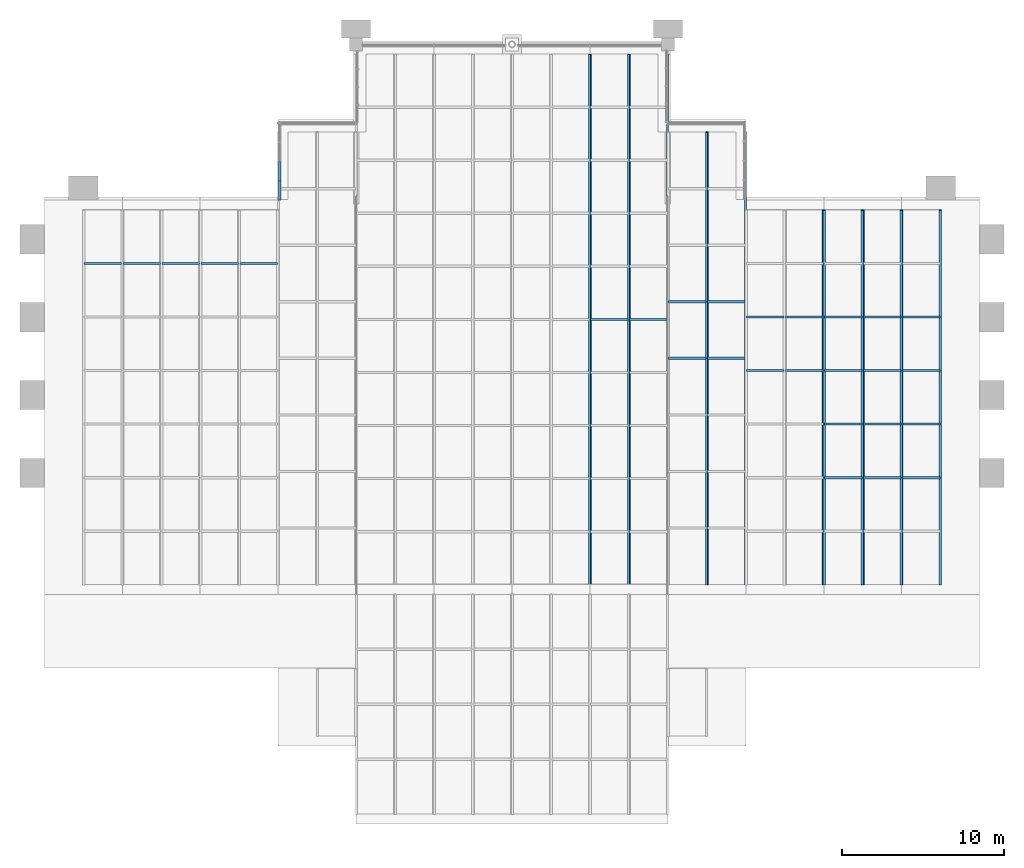
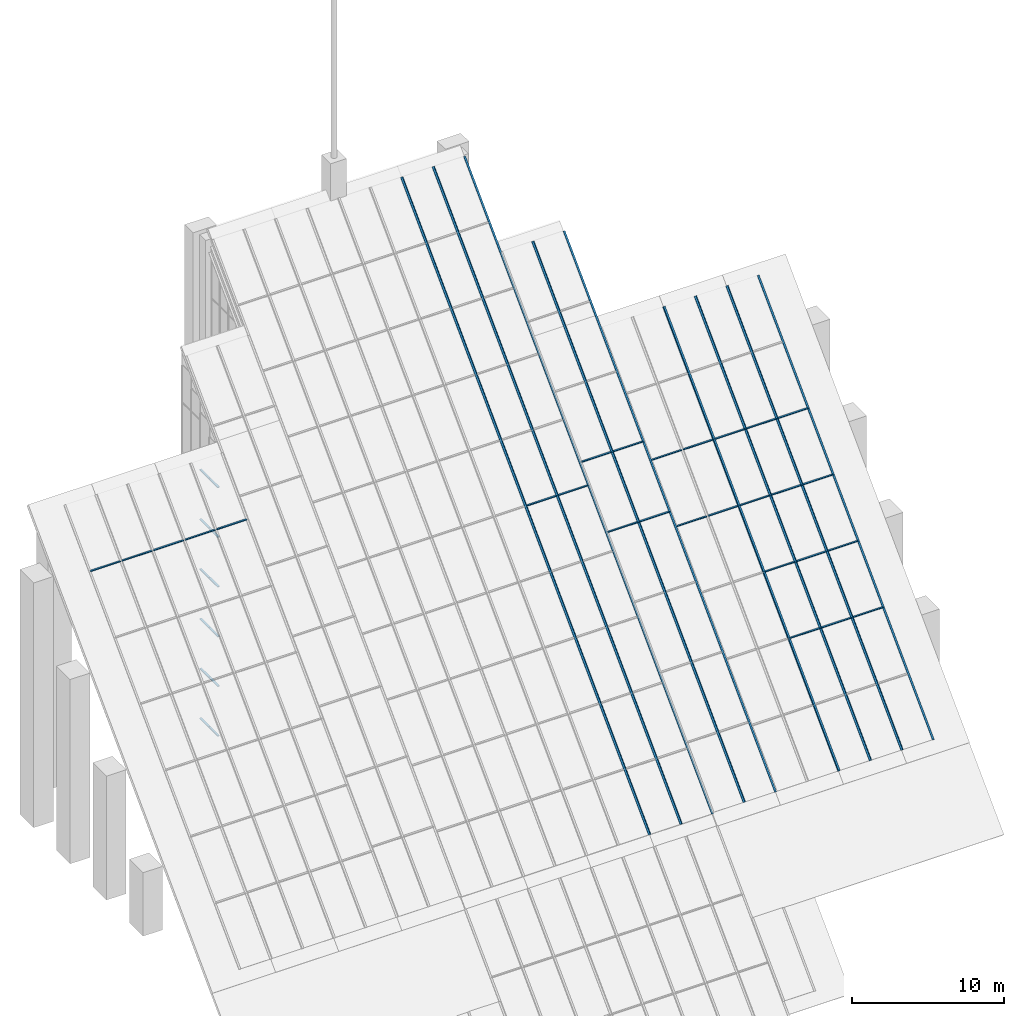
# One storey, part 4 of 25: 54 members, 27 elements without a shape of their own.
"""IFC4 building model written with IfcOpenShell, lengths in metres."""

from ifc_helpers import new_model, si_unit, direction, frame, origin, origin_2d, place, context, subcontext, project, spatial, rectangle, extrude, material, material_profile, profile_set, type_object, element, aggregate, save


model = new_model("IFC4")

# Units and contexts
model_context = context("Model", 3, precision=1e-05, world=origin(), true_north=direction((0.0, 1.0)))
body_context = subcontext(model_context, "Body", "Model", "MODEL_VIEW")
ifc_project = project(units=[si_unit("LENGTHUNIT", "METRE"), si_unit("AREAUNIT", "SQUARE_METRE"), si_unit("VOLUMEUNIT", "CUBIC_METRE"), si_unit("PLANEANGLEUNIT", "RADIAN"), si_unit("MASSUNIT", "GRAM", prefix="KILO")], contexts=[model_context])

# Site, building, storey
site_placement = place(None, origin())
site = spatial("IfcSite", under=ifc_project, at=site_placement, CompositionType="ELEMENT")
building_placement = place(site_placement, origin())
building = spatial("IfcBuilding", under=site, at=building_placement, Name="Baori Bourse Tower", CompositionType="ELEMENT")
storey_placement = place(building_placement, frame((0.0, 0.0, 378.300048828125)))
storey = spatial("IfcBuildingStorey", under=building, at=storey_placement, Name="Roof", CompositionType="ELEMENT", Elevation=378.300048828125)

# Curtain wall, member
ifc_material_1 = material(Name="Pale anodised aluminium", Category="aluminium")
curtain_wall_type_1 = type_object("IfcCurtainWallType", Name="CW3 Curtain wall", PredefinedType="NOTDEFINED", material=ifc_material_1)
curtain_wall_1_placement = place(storey_placement, origin())
curtain_wall_1 = element("IfcCurtainWall", 1, at=curtain_wall_1_placement, inside=storey, type_object=curtain_wall_type_1, Name="Curtain wall CW3 Roof 153", PredefinedType="NOTDEFINED")
ifc_material_2 = material(Name="Pale anodised aluminium", Category="aluminium")
ifc_material_profile_1 = material_profile(ifc_material_2, rectangle(XDim=0.159912109375, YDim=0.06005859375, at=origin_2d()), Name="Transom 60x160")
ifc_profile_set_1 = profile_set([ifc_material_profile_1], Name="Pale anodised aluminium")
member_type_1 = type_object("IfcMemberType", Name="CW3 Curtain wall transom", PredefinedType="USERDEFINED", material=ifc_profile_set_1)
member_1_placement = place(storey_placement, frame((14.47998046875, 40.800048828125, -0.219970703125), z_axis=(0.0, -1.0, 0.0), x_axis=(1.0, 0.0, 0.0)))
member_1 = element("IfcMember", 2, at=member_1_placement, type_object=member_type_1, Name="Curtain wall CW3 sill rail", ObjectType="TRANSOM", PredefinedType="USERDEFINED", context=body_context, shape_type="SweptSolid", body=[
    extrude(rectangle(XDim=0.159912109375, YDim=0.06005859375, at=origin_2d()), origin(), (0.0, 0.0, 1.0), 1.199951171875),
])
aggregate(curtain_wall_1, [member_1])

curtain_wall_2_placement = place(storey_placement, origin())
curtain_wall_2 = element("IfcCurtainWall", 3, at=curtain_wall_2_placement, inside=storey, type_object=curtain_wall_type_1, Name="Curtain wall CW3 Roof 154", PredefinedType="NOTDEFINED")
member_2_placement = place(storey_placement, frame((14.47998046875, 40.800048828125, 3.780029296875), z_axis=(0.0, -1.0, 0.0), x_axis=(1.0, 0.0, 0.0)))
member_2 = element("IfcMember", 4, at=member_2_placement, type_object=member_type_1, Name="Curtain wall CW3 sill rail", ObjectType="TRANSOM", PredefinedType="USERDEFINED", context=body_context, shape_type="SweptSolid", body=[
    extrude(rectangle(XDim=0.159912109375, YDim=0.06005859375, at=origin_2d()), origin(), (0.0, 0.0, 1.0), 1.199951171875),
])
aggregate(curtain_wall_2, [member_2])

curtain_wall_3_placement = place(storey_placement, origin())
curtain_wall_3 = element("IfcCurtainWall", 5, at=curtain_wall_3_placement, inside=storey, type_object=curtain_wall_type_1, Name="Curtain wall CW3 Roof 155", PredefinedType="NOTDEFINED")
member_3_placement = place(storey_placement, frame((14.47998046875, 40.800048828125, 7.780029296875), z_axis=(0.0, -1.0, 0.0), x_axis=(1.0, 0.0, 0.0)))
member_3 = element("IfcMember", 6, at=member_3_placement, type_object=member_type_1, Name="Curtain wall CW3 sill rail", ObjectType="TRANSOM", PredefinedType="USERDEFINED", context=body_context, shape_type="SweptSolid", body=[
    extrude(rectangle(XDim=0.159912109375, YDim=0.06005859375, at=origin_2d()), origin(), (0.0, 0.0, 1.0), 1.199951171875),
])
aggregate(curtain_wall_3, [member_3])

curtain_wall_4_placement = place(storey_placement, origin())
curtain_wall_4 = element("IfcCurtainWall", 7, at=curtain_wall_4_placement, inside=storey, type_object=curtain_wall_type_1, Name="Curtain wall CW3 Roof 156", PredefinedType="NOTDEFINED")
member_4_placement = place(storey_placement, frame((14.47998046875, 40.800048828125, 11.780029296875), z_axis=(0.0, -1.0, 0.0), x_axis=(1.0, 0.0, 0.0)))
member_4 = element("IfcMember", 8, at=member_4_placement, type_object=member_type_1, Name="Curtain wall CW3 sill rail", ObjectType="TRANSOM", PredefinedType="USERDEFINED", context=body_context, shape_type="SweptSolid", body=[
    extrude(rectangle(XDim=0.159912109375, YDim=0.06005859375, at=origin_2d()), origin(), (0.0, 0.0, 1.0), 1.199951171875),
])
aggregate(curtain_wall_4, [member_4])

curtain_wall_5_placement = place(storey_placement, origin())
curtain_wall_5 = element("IfcCurtainWall", 9, at=curtain_wall_5_placement, inside=storey, type_object=curtain_wall_type_1, Name="Curtain wall CW3 Roof 157", PredefinedType="NOTDEFINED")
member_5_placement = place(storey_placement, frame((14.47998046875, 40.800048828125, 15.780029296875), z_axis=(0.0, -1.0, 0.0), x_axis=(1.0, 0.0, 0.0)))
member_5 = element("IfcMember", 10, at=member_5_placement, type_object=member_type_1, Name="Curtain wall CW3 sill rail", ObjectType="TRANSOM", PredefinedType="USERDEFINED", context=body_context, shape_type="SweptSolid", body=[
    extrude(rectangle(XDim=0.159912109375, YDim=0.06005859375, at=origin_2d()), origin(), (0.0, 0.0, 1.0), 1.199951171875),
])
aggregate(curtain_wall_5, [member_5])

curtain_wall_6_placement = place(storey_placement, origin())
curtain_wall_6 = element("IfcCurtainWall", 11, at=curtain_wall_6_placement, inside=storey, type_object=curtain_wall_type_1, Name="Curtain wall CW3 Roof 158", PredefinedType="NOTDEFINED")
member_6_placement = place(storey_placement, frame((14.47998046875, 40.800048828125, 19.780029296875), z_axis=(0.0, -1.0, 0.0), x_axis=(1.0, 0.0, 0.0)))
member_6 = element("IfcMember", 12, at=member_6_placement, type_object=member_type_1, Name="Curtain wall CW3 sill rail", ObjectType="TRANSOM", PredefinedType="USERDEFINED", context=body_context, shape_type="SweptSolid", body=[
    extrude(rectangle(XDim=0.159912109375, YDim=0.06005859375, at=origin_2d()), origin(), (0.0, 0.0, 1.0), 1.199951171875),
])
aggregate(curtain_wall_6, [member_6])

curtain_wall_7_placement = place(storey_placement, origin())
curtain_wall_7 = element("IfcCurtainWall", 13, at=curtain_wall_7_placement, inside=storey, type_object=curtain_wall_type_1, Name="Curtain wall CW3 Roof 159", PredefinedType="NOTDEFINED")
member_7_placement = place(storey_placement, frame((14.47998046875, 39.60009765625, -0.219970703125), z_axis=(0.0, -1.0, 0.0), x_axis=(1.0, 0.0, 0.0)))
member_7 = element("IfcMember", 14, at=member_7_placement, type_object=member_type_1, Name="Curtain wall CW3 sill rail", ObjectType="TRANSOM", PredefinedType="USERDEFINED", context=body_context, shape_type="SweptSolid", body=[
    extrude(rectangle(XDim=0.159912109375, YDim=0.06005859375, at=origin_2d()), origin(), (0.0, 0.0, 1.0), 1.2001953125),
])
aggregate(curtain_wall_7, [member_7])

curtain_wall_8_placement = place(storey_placement, origin())
curtain_wall_8 = element("IfcCurtainWall", 15, at=curtain_wall_8_placement, inside=storey, type_object=curtain_wall_type_1, Name="Curtain wall CW3 Roof 160", PredefinedType="NOTDEFINED")
member_8_placement = place(storey_placement, frame((14.47998046875, 39.60009765625, 3.780029296875), z_axis=(0.0, -1.0, 0.0), x_axis=(1.0, 0.0, 0.0)))
member_8 = element("IfcMember", 16, at=member_8_placement, type_object=member_type_1, Name="Curtain wall CW3 sill rail", ObjectType="TRANSOM", PredefinedType="USERDEFINED", context=body_context, shape_type="SweptSolid", body=[
    extrude(rectangle(XDim=0.159912109375, YDim=0.06005859375, at=origin_2d()), origin(), (0.0, 0.0, 1.0), 1.2001953125),
])
aggregate(curtain_wall_8, [member_8])

curtain_wall_9_placement = place(storey_placement, origin())
curtain_wall_9 = element("IfcCurtainWall", 17, at=curtain_wall_9_placement, inside=storey, type_object=curtain_wall_type_1, Name="Curtain wall CW3 Roof 161", PredefinedType="NOTDEFINED")
member_9_placement = place(storey_placement, frame((14.47998046875, 39.60009765625, 7.780029296875), z_axis=(0.0, -1.0, 0.0), x_axis=(1.0, 0.0, 0.0)))
member_9 = element("IfcMember", 18, at=member_9_placement, type_object=member_type_1, Name="Curtain wall CW3 sill rail", ObjectType="TRANSOM", PredefinedType="USERDEFINED", context=body_context, shape_type="SweptSolid", body=[
    extrude(rectangle(XDim=0.159912109375, YDim=0.06005859375, at=origin_2d()), origin(), (0.0, 0.0, 1.0), 1.2001953125),
])
aggregate(curtain_wall_9, [member_9])

curtain_wall_10_placement = place(storey_placement, origin())
curtain_wall_10 = element("IfcCurtainWall", 19, at=curtain_wall_10_placement, inside=storey, type_object=curtain_wall_type_1, Name="Curtain wall CW3 Roof 162", PredefinedType="NOTDEFINED")
member_10_placement = place(storey_placement, frame((14.47998046875, 39.60009765625, 11.780029296875), z_axis=(0.0, -1.0, 0.0), x_axis=(1.0, 0.0, 0.0)))
member_10 = element("IfcMember", 20, at=member_10_placement, type_object=member_type_1, Name="Curtain wall CW3 sill rail", ObjectType="TRANSOM", PredefinedType="USERDEFINED", context=body_context, shape_type="SweptSolid", body=[
    extrude(rectangle(XDim=0.159912109375, YDim=0.06005859375, at=origin_2d()), origin(), (0.0, 0.0, 1.0), 1.2001953125),
])
aggregate(curtain_wall_10, [member_10])

curtain_wall_11_placement = place(storey_placement, origin())
curtain_wall_11 = element("IfcCurtainWall", 21, at=curtain_wall_11_placement, inside=storey, type_object=curtain_wall_type_1, Name="Curtain wall CW3 Roof 163", PredefinedType="NOTDEFINED")
member_11_placement = place(storey_placement, frame((14.47998046875, 39.60009765625, 15.780029296875), z_axis=(0.0, -1.0, 0.0), x_axis=(1.0, 0.0, 0.0)))
member_11 = element("IfcMember", 22, at=member_11_placement, type_object=member_type_1, Name="Curtain wall CW3 sill rail", ObjectType="TRANSOM", PredefinedType="USERDEFINED", context=body_context, shape_type="SweptSolid", body=[
    extrude(rectangle(XDim=0.159912109375, YDim=0.06005859375, at=origin_2d()), origin(), (0.0, 0.0, 1.0), 1.2001953125),
])
aggregate(curtain_wall_11, [member_11])

curtain_wall_12_placement = place(storey_placement, origin())
curtain_wall_12 = element("IfcCurtainWall", 23, at=curtain_wall_12_placement, inside=storey, type_object=curtain_wall_type_1, Name="Curtain wall CW3 Roof 164", PredefinedType="NOTDEFINED")
member_12_placement = place(storey_placement, frame((14.47998046875, 39.60009765625, 19.780029296875), z_axis=(0.0, -1.0, 0.0), x_axis=(1.0, 0.0, 0.0)))
member_12 = element("IfcMember", 24, at=member_12_placement, type_object=member_type_1, Name="Curtain wall CW3 sill rail", ObjectType="TRANSOM", PredefinedType="USERDEFINED", context=body_context, shape_type="SweptSolid", body=[
    extrude(rectangle(XDim=0.159912109375, YDim=0.06005859375, at=origin_2d()), origin(), (0.0, 0.0, 1.0), 1.2001953125),
])
aggregate(curtain_wall_12, [member_12])

ifc_material_3 = material(Name="Pale anodised aluminium", Category="aluminium")
curtain_wall_type_2 = type_object("IfcCurtainWallType", Name="CW4 Curtain wall", PredefinedType="NOTDEFINED", material=ifc_material_3)
curtain_wall_13_placement = place(storey_placement, origin())
curtain_wall_13 = element("IfcCurtainWall", 25, at=curtain_wall_13_placement, inside=storey, type_object=curtain_wall_type_2, Name="Curtain wall CW4 roof glazing 19", PredefinedType="NOTDEFINED")
ifc_material_4 = material(Name="Pale anodised aluminium", Category="aluminium")
ifc_material_profile_2 = material_profile(ifc_material_4, rectangle(XDim=0.139892578125, YDim=0.050048828125, at=origin_2d()), Name="Mullion 50x140")
ifc_profile_set_2 = profile_set([ifc_material_profile_2], Name="Pale anodised aluminium")
member_type_2 = type_object("IfcMemberType", Name="CW4 Curtain wall mullion", PredefinedType="MULLION", material=ifc_profile_set_2)
member_13_placement = place(storey_placement, frame((33.574951171875, 14.723388671875, -0.492919921875), z_axis=(0.0, 0.702701357495, 0.711484927581), x_axis=(-1.0, 0.0, 0.0)))
member_13 = element("IfcMember", 26, at=member_13_placement, type_object=member_type_2, Name="Curtain wall CW4 rail 19.2", PredefinedType="MULLION", context=body_context, shape_type="SweptSolid", body=[
    extrude(rectangle(XDim=0.139892578125, YDim=0.050048828125, at=origin_2d()), origin(), (0.0, 0.0, 1.0), 46.501220703125),
])
aggregate(curtain_wall_13, [member_13])

# Curtain wall, members
curtain_wall_14_placement = place(storey_placement, origin())
curtain_wall_14 = element("IfcCurtainWall", 27, at=curtain_wall_14_placement, inside=storey, type_object=curtain_wall_type_2, Name="Curtain wall CW4 roof glazing 21", PredefinedType="NOTDEFINED")
member_14_placement = place(storey_placement, frame((33.625, 14.723388671875, -0.492919921875), z_axis=(0.0, 0.702701357495, 0.711484927581), x_axis=(-1.0, 0.0, 0.0)))
member_14 = element("IfcMember", 28, at=member_14_placement, type_object=member_type_2, Name="Curtain wall CW4 rail 21.1", PredefinedType="MULLION", context=body_context, shape_type="SweptSolid", body=[
    extrude(rectangle(XDim=0.139892578125, YDim=0.050048828125, at=origin_2d()), origin(), (0.0, 0.0, 1.0), 46.501220703125),
])
member_15_placement = place(storey_placement, frame((35.97509765625, 14.723388671875, -0.492919921875), z_axis=(0.0, 0.702701357495, 0.711484927581), x_axis=(-1.0, 0.0, 0.0)))
member_15 = element("IfcMember", 29, at=member_15_placement, type_object=member_type_2, Name="Curtain wall CW4 rail 21.2", PredefinedType="MULLION", context=body_context, shape_type="SweptSolid", body=[
    extrude(rectangle(XDim=0.139892578125, YDim=0.050048828125, at=origin_2d()), origin(), (0.0, 0.0, 1.0), 46.501220703125),
])

curtain_wall_15_placement = place(storey_placement, origin())
curtain_wall_15 = element("IfcCurtainWall", 30, at=curtain_wall_15_placement, inside=storey, type_object=curtain_wall_type_2, Name="Curtain wall CW4 roof glazing 23", PredefinedType="NOTDEFINED")
member_16_placement = place(storey_placement, frame((36.02490234375, 14.723388671875, -0.492919921875), z_axis=(0.0, 0.702701357495, 0.711484927581), x_axis=(-1.0, 0.0, 0.0)))
member_16 = element("IfcMember", 31, at=member_16_placement, type_object=member_type_2, Name="Curtain wall CW4 rail 23.1", PredefinedType="MULLION", context=body_context, shape_type="SweptSolid", body=[
    extrude(rectangle(XDim=0.139892578125, YDim=0.050048828125, at=origin_2d()), origin(), (0.0, 0.0, 1.0), 46.501220703125),
])
member_17_placement = place(storey_placement, frame((38.375, 14.723388671875, -0.492919921875), z_axis=(0.0, 0.702701357495, 0.711484927581), x_axis=(-1.0, 0.0, 0.0)))
member_17 = element("IfcMember", 32, at=member_17_placement, type_object=member_type_2, Name="Curtain wall CW4 rail 23.2", PredefinedType="MULLION", context=body_context, shape_type="SweptSolid", body=[
    extrude(rectangle(XDim=0.139892578125, YDim=0.050048828125, at=origin_2d()), origin(), (0.0, 0.0, 1.0), 46.501220703125),
])

# Curtain wall, member
curtain_wall_16_placement = place(storey_placement, origin())
curtain_wall_16 = element("IfcCurtainWall", 33, at=curtain_wall_16_placement, inside=storey, type_object=curtain_wall_type_2, Name="Curtain wall CW4 roof glazing 25", PredefinedType="NOTDEFINED")
member_18_placement = place(storey_placement, frame((40.77490234375, 14.723388671875, -0.407470703125), z_axis=(0.0, 0.702705220512, 0.711481112234), x_axis=(-1.0, 0.0, 0.0)))
member_18 = element("IfcMember", 34, at=member_18_placement, type_object=member_type_2, Name="Curtain wall CW4 rail 25.2", PredefinedType="MULLION", context=body_context, shape_type="SweptSolid", body=[
    extrude(rectangle(XDim=0.139892578125, YDim=0.050048828125, at=origin_2d()), origin(), (0.0, 0.0, 1.0), 39.670654296875),
])

# Curtain wall, members
curtain_wall_17_placement = place(storey_placement, origin())
curtain_wall_17 = element("IfcCurtainWall", 35, at=curtain_wall_17_placement, inside=storey, type_object=curtain_wall_type_2, Name="Curtain wall CW4 roof glazing 27", PredefinedType="NOTDEFINED")
member_19_placement = place(storey_placement, frame((40.824951171875, 14.723388671875, -0.407470703125), z_axis=(0.0, 0.702705220512, 0.711481112234), x_axis=(-1.0, 0.0, 0.0)))
member_19 = element("IfcMember", 36, at=member_19_placement, type_object=member_type_2, Name="Curtain wall CW4 rail 27.1", PredefinedType="MULLION", context=body_context, shape_type="SweptSolid", body=[
    extrude(rectangle(XDim=0.139892578125, YDim=0.050048828125, at=origin_2d()), origin(), (0.0, 0.0, 1.0), 39.670654296875),
])
member_20_placement = place(storey_placement, frame((43.175048828125, 14.723388671875, -0.407470703125), z_axis=(0.0, 0.702705220512, 0.711481112234), x_axis=(-1.0, 0.0, 0.0)))
member_20 = element("IfcMember", 37, at=member_20_placement, type_object=member_type_2, Name="Curtain wall CW4 rail 27.2", PredefinedType="MULLION", context=body_context, shape_type="SweptSolid", body=[
    extrude(rectangle(XDim=0.139892578125, YDim=0.050048828125, at=origin_2d()), origin(), (0.0, 0.0, 1.0), 39.670654296875),
])

# Curtain wall, member
curtain_wall_18_placement = place(storey_placement, origin())
curtain_wall_18 = element("IfcCurtainWall", 38, at=curtain_wall_18_placement, inside=storey, type_object=curtain_wall_type_2, Name="Curtain wall CW4 roof glazing 29", PredefinedType="NOTDEFINED")
member_21_placement = place(storey_placement, frame((47.97509765625, 14.723388671875, -0.407470703125), z_axis=(0.0, 0.702703210407, 0.711483097539), x_axis=(-1.0, 0.0, 0.0)))
member_21 = element("IfcMember", 39, at=member_21_placement, type_object=member_type_2, Name="Curtain wall CW4 rail 29.2", PredefinedType="MULLION", context=body_context, shape_type="SweptSolid", body=[
    extrude(rectangle(XDim=0.139892578125, YDim=0.050048828125, at=origin_2d()), origin(), (0.0, 0.0, 1.0), 32.83984375),
])

# Curtain wall, members
curtain_wall_19_placement = place(storey_placement, origin())
curtain_wall_19 = element("IfcCurtainWall", 40, at=curtain_wall_19_placement, inside=storey, type_object=curtain_wall_type_2, Name="Curtain wall CW4 roof glazing 30", PredefinedType="NOTDEFINED")
member_22_placement = place(storey_placement, frame((48.02490234375, 14.723388671875, -0.407470703125), z_axis=(0.0, 0.702703210407, 0.711483097539), x_axis=(-1.0, 0.0, 0.0)))
member_22 = element("IfcMember", 41, at=member_22_placement, type_object=member_type_2, Name="Curtain wall CW4 rail 30.1", PredefinedType="MULLION", context=body_context, shape_type="SweptSolid", body=[
    extrude(rectangle(XDim=0.139892578125, YDim=0.050048828125, at=origin_2d()), origin(), (0.0, 0.0, 1.0), 32.83984375),
])
member_23_placement = place(storey_placement, frame((50.375, 14.723388671875, -0.407470703125), z_axis=(0.0, 0.702703210407, 0.711483097539), x_axis=(-1.0, 0.0, 0.0)))
member_23 = element("IfcMember", 42, at=member_23_placement, type_object=member_type_2, Name="Curtain wall CW4 rail 30.2", PredefinedType="MULLION", context=body_context, shape_type="SweptSolid", body=[
    extrude(rectangle(XDim=0.139892578125, YDim=0.050048828125, at=origin_2d()), origin(), (0.0, 0.0, 1.0), 32.83984375),
])

curtain_wall_20_placement = place(storey_placement, origin())
curtain_wall_20 = element("IfcCurtainWall", 43, at=curtain_wall_20_placement, inside=storey, type_object=curtain_wall_type_2, Name="Curtain wall CW4 roof glazing 31", PredefinedType="NOTDEFINED")
member_24_placement = place(storey_placement, frame((50.425048828125, 14.723388671875, -0.407470703125), z_axis=(0.0, 0.702703210407, 0.711483097539), x_axis=(-1.0, 0.0, 0.0)))
member_24 = element("IfcMember", 44, at=member_24_placement, type_object=member_type_2, Name="Curtain wall CW4 rail 31.1", PredefinedType="MULLION", context=body_context, shape_type="SweptSolid", body=[
    extrude(rectangle(XDim=0.139892578125, YDim=0.050048828125, at=origin_2d()), origin(), (0.0, 0.0, 1.0), 32.83984375),
])
member_25_placement = place(storey_placement, frame((52.77490234375, 14.723388671875, -0.407470703125), z_axis=(0.0, 0.702703210407, 0.711483097539), x_axis=(-1.0, 0.0, 0.0)))
member_25 = element("IfcMember", 45, at=member_25_placement, type_object=member_type_2, Name="Curtain wall CW4 rail 31.2", PredefinedType="MULLION", context=body_context, shape_type="SweptSolid", body=[
    extrude(rectangle(XDim=0.139892578125, YDim=0.050048828125, at=origin_2d()), origin(), (0.0, 0.0, 1.0), 32.83984375),
])

curtain_wall_21_placement = place(storey_placement, origin())
curtain_wall_21 = element("IfcCurtainWall", 46, at=curtain_wall_21_placement, inside=storey, type_object=curtain_wall_type_2, Name="Curtain wall CW4 roof glazing 32", PredefinedType="NOTDEFINED")
member_26_placement = place(storey_placement, frame((52.824951171875, 14.723388671875, -0.407470703125), z_axis=(0.0, 0.702703210407, 0.711483097539), x_axis=(-1.0, 0.0, 0.0)))
member_26 = element("IfcMember", 47, at=member_26_placement, type_object=member_type_2, Name="Curtain wall CW4 rail 32.1", PredefinedType="MULLION", context=body_context, shape_type="SweptSolid", body=[
    extrude(rectangle(XDim=0.139892578125, YDim=0.050048828125, at=origin_2d()), origin(), (0.0, 0.0, 1.0), 32.83984375),
])
member_27_placement = place(storey_placement, frame((55.175048828125, 14.723388671875, -0.407470703125), z_axis=(0.0, 0.702703210407, 0.711483097539), x_axis=(-1.0, 0.0, 0.0)))
member_27 = element("IfcMember", 48, at=member_27_placement, type_object=member_type_2, Name="Curtain wall CW4 rail 32.2", PredefinedType="MULLION", context=body_context, shape_type="SweptSolid", body=[
    extrude(rectangle(XDim=0.139892578125, YDim=0.050048828125, at=origin_2d()), origin(), (0.0, 0.0, 1.0), 32.83984375),
])

# Curtain wall, member
curtain_wall_22_placement = place(storey_placement, origin())
curtain_wall_22 = element("IfcCurtainWall", 49, at=curtain_wall_22_placement, inside=storey, type_object=curtain_wall_type_2, Name="Curtain wall CW4 roof glazing 1", PredefinedType="NOTDEFINED")
ifc_material_5 = material(Name="Pale anodised aluminium", Category="aluminium")
ifc_material_profile_3 = material_profile(ifc_material_5, rectangle(XDim=0.139892578125, YDim=0.054931640625, at=origin_2d()), Name="Transom 55x140")
ifc_profile_set_3 = profile_set([ifc_material_profile_3], Name="Pale anodised aluminium")
member_type_3 = type_object("IfcMemberType", Name="CW4 Curtain wall transom", PredefinedType="USERDEFINED", material=ifc_profile_set_3)
member_28_placement = place(storey_placement, frame((2.449951171875, 34.50341796875, 19.61962890625), z_axis=(1.0, 0.0, 0.0), x_axis=(0.0, 1.0, 0.0)))
member_28 = element("IfcMember", 50, at=member_28_placement, type_object=member_type_3, Name="Curtain wall CW4 cross bar 1.6", ObjectType="TRANSOM", PredefinedType="USERDEFINED", context=body_context, shape_type="SweptSolid", body=[
    extrude(rectangle(XDim=0.139892578125, YDim=0.054931640625, at=origin_2d()), origin(), (0.0, 0.0, 1.0), 2.300048828125),
])
aggregate(curtain_wall_22, [member_28])

curtain_wall_23_placement = place(storey_placement, origin())
curtain_wall_23 = element("IfcCurtainWall", 51, at=curtain_wall_23_placement, inside=storey, type_object=curtain_wall_type_2, Name="Curtain wall CW4 roof glazing 2", PredefinedType="NOTDEFINED")
member_29_placement = place(storey_placement, frame((4.85009765625, 34.50341796875, 19.61962890625), z_axis=(1.0, 0.0, 0.0), x_axis=(0.0, 1.0, 0.0)))
member_29 = element("IfcMember", 52, at=member_29_placement, type_object=member_type_3, Name="Curtain wall CW4 cross bar 2.6", ObjectType="TRANSOM", PredefinedType="USERDEFINED", context=body_context, shape_type="SweptSolid", body=[
    extrude(rectangle(XDim=0.139892578125, YDim=0.054931640625, at=origin_2d()), origin(), (0.0, 0.0, 1.0), 2.2998046875),
])
aggregate(curtain_wall_23, [member_29])

curtain_wall_24_placement = place(storey_placement, origin())
curtain_wall_24 = element("IfcCurtainWall", 53, at=curtain_wall_24_placement, inside=storey, type_object=curtain_wall_type_2, Name="Curtain wall CW4 roof glazing 3", PredefinedType="NOTDEFINED")
member_30_placement = place(storey_placement, frame((7.25, 34.50341796875, 19.61962890625), z_axis=(1.0, 0.0, 0.0), x_axis=(0.0, 1.0, 0.0)))
member_30 = element("IfcMember", 54, at=member_30_placement, type_object=member_type_3, Name="Curtain wall CW4 cross bar 3.6", ObjectType="TRANSOM", PredefinedType="USERDEFINED", context=body_context, shape_type="SweptSolid", body=[
    extrude(rectangle(XDim=0.139892578125, YDim=0.054931640625, at=origin_2d()), origin(), (0.0, 0.0, 1.0), 2.300048828125),
])
aggregate(curtain_wall_24, [member_30])

curtain_wall_25_placement = place(storey_placement, origin())
curtain_wall_25 = element("IfcCurtainWall", 55, at=curtain_wall_25_placement, inside=storey, type_object=curtain_wall_type_2, Name="Curtain wall CW4 roof glazing 4", PredefinedType="NOTDEFINED")
member_31_placement = place(storey_placement, frame((9.64990234375, 34.50341796875, 19.61962890625), z_axis=(1.0, 0.0, 0.0), x_axis=(0.0, 1.0, 0.0)))
member_31 = element("IfcMember", 56, at=member_31_placement, type_object=member_type_3, Name="Curtain wall CW4 cross bar 4.6", ObjectType="TRANSOM", PredefinedType="USERDEFINED", context=body_context, shape_type="SweptSolid", body=[
    extrude(rectangle(XDim=0.139892578125, YDim=0.054931640625, at=origin_2d()), origin(), (0.0, 0.0, 1.0), 2.300048828125),
])
aggregate(curtain_wall_25, [member_31])

curtain_wall_26_placement = place(storey_placement, origin())
curtain_wall_26 = element("IfcCurtainWall", 57, at=curtain_wall_26_placement, inside=storey, type_object=curtain_wall_type_2, Name="Curtain wall CW4 roof glazing 5", PredefinedType="NOTDEFINED")
member_32_placement = place(storey_placement, frame((12.050048828125, 34.50341796875, 19.61962890625), z_axis=(1.0, 0.0, 0.0), x_axis=(0.0, 1.0, 0.0)))
member_32 = element("IfcMember", 58, at=member_32_placement, type_object=member_type_3, Name="Curtain wall CW4 cross bar 5.6", ObjectType="TRANSOM", PredefinedType="USERDEFINED", context=body_context, shape_type="SweptSolid", body=[
    extrude(rectangle(XDim=0.139892578125, YDim=0.054931640625, at=origin_2d()), origin(), (0.0, 0.0, 1.0), 2.300048828125),
])
aggregate(curtain_wall_26, [member_32])

# Member
member_33_placement = place(storey_placement, frame((33.64990234375, 31.061767578125, 16.049560546875), z_axis=(1.0, 0.0, 0.0), x_axis=(0.0, 1.0, 0.0)))
member_33 = element("IfcMember", 59, at=member_33_placement, type_object=member_type_3, Name="Curtain wall CW4 cross bar 21.5", ObjectType="TRANSOM", PredefinedType="USERDEFINED", context=body_context, shape_type="SweptSolid", body=[
    extrude(rectangle(XDim=0.139892578125, YDim=0.054931640625, at=origin_2d()), origin(), (0.0, 0.0, 1.0), 2.300048828125),
])

aggregate(curtain_wall_14, [member_14, member_15, member_33])

member_34_placement = place(storey_placement, frame((36.050048828125, 31.061767578125, 16.049560546875), z_axis=(1.0, 0.0, 0.0), x_axis=(0.0, 1.0, 0.0)))
member_34 = element("IfcMember", 60, at=member_34_placement, type_object=member_type_3, Name="Curtain wall CW4 cross bar 23.5", ObjectType="TRANSOM", PredefinedType="USERDEFINED", context=body_context, shape_type="SweptSolid", body=[
    extrude(rectangle(XDim=0.139892578125, YDim=0.054931640625, at=origin_2d()), origin(), (0.0, 0.0, 1.0), 2.300048828125),
])

aggregate(curtain_wall_15, [member_16, member_17, member_34])

member_35_placement = place(storey_placement, frame((38.449951171875, 28.66162109375, 13.704833984375), z_axis=(1.0, 0.0, 0.0), x_axis=(0.0, 1.0, 0.0)))
member_35 = element("IfcMember", 61, at=member_35_placement, type_object=member_type_3, Name="Curtain wall CW4 cross bar 25.4", ObjectType="TRANSOM", PredefinedType="USERDEFINED", context=body_context, shape_type="SweptSolid", body=[
    extrude(rectangle(XDim=0.139892578125, YDim=0.054931640625, at=origin_2d()), origin(), (0.0, 0.0, 1.0), 2.300048828125),
])

member_36_placement = place(storey_placement, frame((38.449951171875, 32.146240234375, 17.233154296875), z_axis=(1.0, 0.0, 0.0), x_axis=(0.0, 1.0, 0.0)))
member_36 = element("IfcMember", 62, at=member_36_placement, type_object=member_type_3, Name="Curtain wall CW4 cross bar 25.5", ObjectType="TRANSOM", PredefinedType="USERDEFINED", context=body_context, shape_type="SweptSolid", body=[
    extrude(rectangle(XDim=0.139892578125, YDim=0.054931640625, at=origin_2d()), origin(), (0.0, 0.0, 1.0), 2.300048828125),
])

aggregate(curtain_wall_16, [member_18, member_35, member_36])

member_37_placement = place(storey_placement, frame((40.85009765625, 28.66162109375, 13.704833984375), z_axis=(1.0, 0.0, 0.0), x_axis=(0.0, 1.0, 0.0)))
member_37 = element("IfcMember", 63, at=member_37_placement, type_object=member_type_3, Name="Curtain wall CW4 cross bar 27.4", ObjectType="TRANSOM", PredefinedType="USERDEFINED", context=body_context, shape_type="SweptSolid", body=[
    extrude(rectangle(XDim=0.139892578125, YDim=0.054931640625, at=origin_2d()), origin(), (0.0, 0.0, 1.0), 2.2998046875),
])

member_38_placement = place(storey_placement, frame((40.85009765625, 32.146240234375, 17.233154296875), z_axis=(1.0, 0.0, 0.0), x_axis=(0.0, 1.0, 0.0)))
member_38 = element("IfcMember", 64, at=member_38_placement, type_object=member_type_3, Name="Curtain wall CW4 cross bar 27.5", ObjectType="TRANSOM", PredefinedType="USERDEFINED", context=body_context, shape_type="SweptSolid", body=[
    extrude(rectangle(XDim=0.139892578125, YDim=0.054931640625, at=origin_2d()), origin(), (0.0, 0.0, 1.0), 2.2998046875),
])

aggregate(curtain_wall_17, [member_19, member_20, member_37, member_38])

# Curtain wall, members
curtain_wall_27_placement = place(storey_placement, origin())
curtain_wall_27 = element("IfcCurtainWall", 65, at=curtain_wall_27_placement, inside=storey, type_object=curtain_wall_type_2, Name="Curtain wall CW4 roof glazing 28", PredefinedType="NOTDEFINED")
member_39_placement = place(storey_placement, frame((43.25, 27.91015625, 12.94384765625), z_axis=(1.0, 0.0, 0.0), x_axis=(0.0, 1.0, 0.0)))
member_39 = element("IfcMember", 66, at=member_39_placement, type_object=member_type_3, Name="Curtain wall CW4 cross bar 28.4", ObjectType="TRANSOM", PredefinedType="USERDEFINED", context=body_context, shape_type="SweptSolid", body=[
    extrude(rectangle(XDim=0.139892578125, YDim=0.054931640625, at=origin_2d()), origin(), (0.0, 0.0, 1.0), 2.300048828125),
])
member_40_placement = place(storey_placement, frame((43.25, 31.206787109375, 16.28173828125), z_axis=(1.0, 0.0, 0.0), x_axis=(0.0, 1.0, 0.0)))
member_40 = element("IfcMember", 67, at=member_40_placement, type_object=member_type_3, Name="Curtain wall CW4 cross bar 28.5", ObjectType="TRANSOM", PredefinedType="USERDEFINED", context=body_context, shape_type="SweptSolid", body=[
    extrude(rectangle(XDim=0.139892578125, YDim=0.054931640625, at=origin_2d()), origin(), (0.0, 0.0, 1.0), 2.300048828125),
])
aggregate(curtain_wall_27, [member_39, member_40])

# Member
member_41_placement = place(storey_placement, frame((45.64990234375, 27.91015625, 12.94384765625), z_axis=(1.0, 0.0, 0.0), x_axis=(0.0, 1.0, 0.0)))
member_41 = element("IfcMember", 68, at=member_41_placement, type_object=member_type_3, Name="Curtain wall CW4 cross bar 29.4", ObjectType="TRANSOM", PredefinedType="USERDEFINED", context=body_context, shape_type="SweptSolid", body=[
    extrude(rectangle(XDim=0.139892578125, YDim=0.054931640625, at=origin_2d()), origin(), (0.0, 0.0, 1.0), 2.300048828125),
])

member_42_placement = place(storey_placement, frame((45.64990234375, 31.206787109375, 16.28173828125), z_axis=(1.0, 0.0, 0.0), x_axis=(0.0, 1.0, 0.0)))
member_42 = element("IfcMember", 69, at=member_42_placement, type_object=member_type_3, Name="Curtain wall CW4 cross bar 29.5", ObjectType="TRANSOM", PredefinedType="USERDEFINED", context=body_context, shape_type="SweptSolid", body=[
    extrude(rectangle(XDim=0.139892578125, YDim=0.054931640625, at=origin_2d()), origin(), (0.0, 0.0, 1.0), 2.300048828125),
])

aggregate(curtain_wall_18, [member_21, member_41, member_42])

member_43_placement = place(storey_placement, frame((48.050048828125, 21.316650390625, 6.26806640625), z_axis=(1.0, 0.0, 0.0), x_axis=(0.0, 1.0, 0.0)))
member_43 = element("IfcMember", 70, at=member_43_placement, type_object=member_type_3, Name="Curtain wall CW4 cross bar 30.2", ObjectType="TRANSOM", PredefinedType="USERDEFINED", context=body_context, shape_type="SweptSolid", body=[
    extrude(rectangle(XDim=0.139892578125, YDim=0.054931640625, at=origin_2d()), origin(), (0.0, 0.0, 1.0), 2.300048828125),
])

member_44_placement = place(storey_placement, frame((48.050048828125, 24.613525390625, 9.60595703125), z_axis=(1.0, 0.0, 0.0), x_axis=(0.0, 1.0, 0.0)))
member_44 = element("IfcMember", 71, at=member_44_placement, type_object=member_type_3, Name="Curtain wall CW4 cross bar 30.3", ObjectType="TRANSOM", PredefinedType="USERDEFINED", context=body_context, shape_type="SweptSolid", body=[
    extrude(rectangle(XDim=0.139892578125, YDim=0.054931640625, at=origin_2d()), origin(), (0.0, 0.0, 1.0), 2.300048828125),
])

member_45_placement = place(storey_placement, frame((48.050048828125, 27.91015625, 12.94384765625), z_axis=(1.0, 0.0, 0.0), x_axis=(0.0, 1.0, 0.0)))
member_45 = element("IfcMember", 72, at=member_45_placement, type_object=member_type_3, Name="Curtain wall CW4 cross bar 30.4", ObjectType="TRANSOM", PredefinedType="USERDEFINED", context=body_context, shape_type="SweptSolid", body=[
    extrude(rectangle(XDim=0.139892578125, YDim=0.054931640625, at=origin_2d()), origin(), (0.0, 0.0, 1.0), 2.300048828125),
])

member_46_placement = place(storey_placement, frame((48.050048828125, 31.206787109375, 16.28173828125), z_axis=(1.0, 0.0, 0.0), x_axis=(0.0, 1.0, 0.0)))
member_46 = element("IfcMember", 73, at=member_46_placement, type_object=member_type_3, Name="Curtain wall CW4 cross bar 30.5", ObjectType="TRANSOM", PredefinedType="USERDEFINED", context=body_context, shape_type="SweptSolid", body=[
    extrude(rectangle(XDim=0.139892578125, YDim=0.054931640625, at=origin_2d()), origin(), (0.0, 0.0, 1.0), 2.300048828125),
])

aggregate(curtain_wall_19, [member_22, member_23, member_43, member_44, member_45, member_46])

member_47_placement = place(storey_placement, frame((50.449951171875, 21.316650390625, 6.26806640625), z_axis=(1.0, 0.0, 0.0), x_axis=(0.0, 1.0, 0.0)))
member_47 = element("IfcMember", 74, at=member_47_placement, type_object=member_type_3, Name="Curtain wall CW4 cross bar 31.2", ObjectType="TRANSOM", PredefinedType="USERDEFINED", context=body_context, shape_type="SweptSolid", body=[
    extrude(rectangle(XDim=0.139892578125, YDim=0.054931640625, at=origin_2d()), origin(), (0.0, 0.0, 1.0), 2.300048828125),
])

member_48_placement = place(storey_placement, frame((50.449951171875, 24.613525390625, 9.60595703125), z_axis=(1.0, 0.0, 0.0), x_axis=(0.0, 1.0, 0.0)))
member_48 = element("IfcMember", 75, at=member_48_placement, type_object=member_type_3, Name="Curtain wall CW4 cross bar 31.3", ObjectType="TRANSOM", PredefinedType="USERDEFINED", context=body_context, shape_type="SweptSolid", body=[
    extrude(rectangle(XDim=0.139892578125, YDim=0.054931640625, at=origin_2d()), origin(), (0.0, 0.0, 1.0), 2.300048828125),
])

member_49_placement = place(storey_placement, frame((50.449951171875, 27.91015625, 12.94384765625), z_axis=(1.0, 0.0, 0.0), x_axis=(0.0, 1.0, 0.0)))
member_49 = element("IfcMember", 76, at=member_49_placement, type_object=member_type_3, Name="Curtain wall CW4 cross bar 31.4", ObjectType="TRANSOM", PredefinedType="USERDEFINED", context=body_context, shape_type="SweptSolid", body=[
    extrude(rectangle(XDim=0.139892578125, YDim=0.054931640625, at=origin_2d()), origin(), (0.0, 0.0, 1.0), 2.300048828125),
])

member_50_placement = place(storey_placement, frame((50.449951171875, 31.206787109375, 16.28173828125), z_axis=(1.0, 0.0, 0.0), x_axis=(0.0, 1.0, 0.0)))
member_50 = element("IfcMember", 77, at=member_50_placement, type_object=member_type_3, Name="Curtain wall CW4 cross bar 31.5", ObjectType="TRANSOM", PredefinedType="USERDEFINED", context=body_context, shape_type="SweptSolid", body=[
    extrude(rectangle(XDim=0.139892578125, YDim=0.054931640625, at=origin_2d()), origin(), (0.0, 0.0, 1.0), 2.300048828125),
])

aggregate(curtain_wall_20, [member_24, member_25, member_47, member_48, member_49, member_50])

member_51_placement = place(storey_placement, frame((52.85009765625, 21.316650390625, 6.26806640625), z_axis=(1.0, 0.0, 0.0), x_axis=(0.0, 1.0, 0.0)))
member_51 = element("IfcMember", 78, at=member_51_placement, type_object=member_type_3, Name="Curtain wall CW4 cross bar 32.2", ObjectType="TRANSOM", PredefinedType="USERDEFINED", context=body_context, shape_type="SweptSolid", body=[
    extrude(rectangle(XDim=0.139892578125, YDim=0.054931640625, at=origin_2d()), origin(), (0.0, 0.0, 1.0), 2.2998046875),
])

member_52_placement = place(storey_placement, frame((52.85009765625, 24.613525390625, 9.60595703125), z_axis=(1.0, 0.0, 0.0), x_axis=(0.0, 1.0, 0.0)))
member_52 = element("IfcMember", 79, at=member_52_placement, type_object=member_type_3, Name="Curtain wall CW4 cross bar 32.3", ObjectType="TRANSOM", PredefinedType="USERDEFINED", context=body_context, shape_type="SweptSolid", body=[
    extrude(rectangle(XDim=0.139892578125, YDim=0.054931640625, at=origin_2d()), origin(), (0.0, 0.0, 1.0), 2.2998046875),
])

member_53_placement = place(storey_placement, frame((52.85009765625, 27.91015625, 12.94384765625), z_axis=(1.0, 0.0, 0.0), x_axis=(0.0, 1.0, 0.0)))
member_53 = element("IfcMember", 80, at=member_53_placement, type_object=member_type_3, Name="Curtain wall CW4 cross bar 32.4", ObjectType="TRANSOM", PredefinedType="USERDEFINED", context=body_context, shape_type="SweptSolid", body=[
    extrude(rectangle(XDim=0.139892578125, YDim=0.054931640625, at=origin_2d()), origin(), (0.0, 0.0, 1.0), 2.2998046875),
])

member_54_placement = place(storey_placement, frame((52.85009765625, 31.206787109375, 16.28173828125), z_axis=(1.0, 0.0, 0.0), x_axis=(0.0, 1.0, 0.0)))
member_54 = element("IfcMember", 81, at=member_54_placement, type_object=member_type_3, Name="Curtain wall CW4 cross bar 32.5", ObjectType="TRANSOM", PredefinedType="USERDEFINED", context=body_context, shape_type="SweptSolid", body=[
    extrude(rectangle(XDim=0.139892578125, YDim=0.054931640625, at=origin_2d()), origin(), (0.0, 0.0, 1.0), 2.2998046875),
])

aggregate(curtain_wall_21, [member_26, member_27, member_51, member_52, member_53, member_54])

save(model, "model.ifc")
